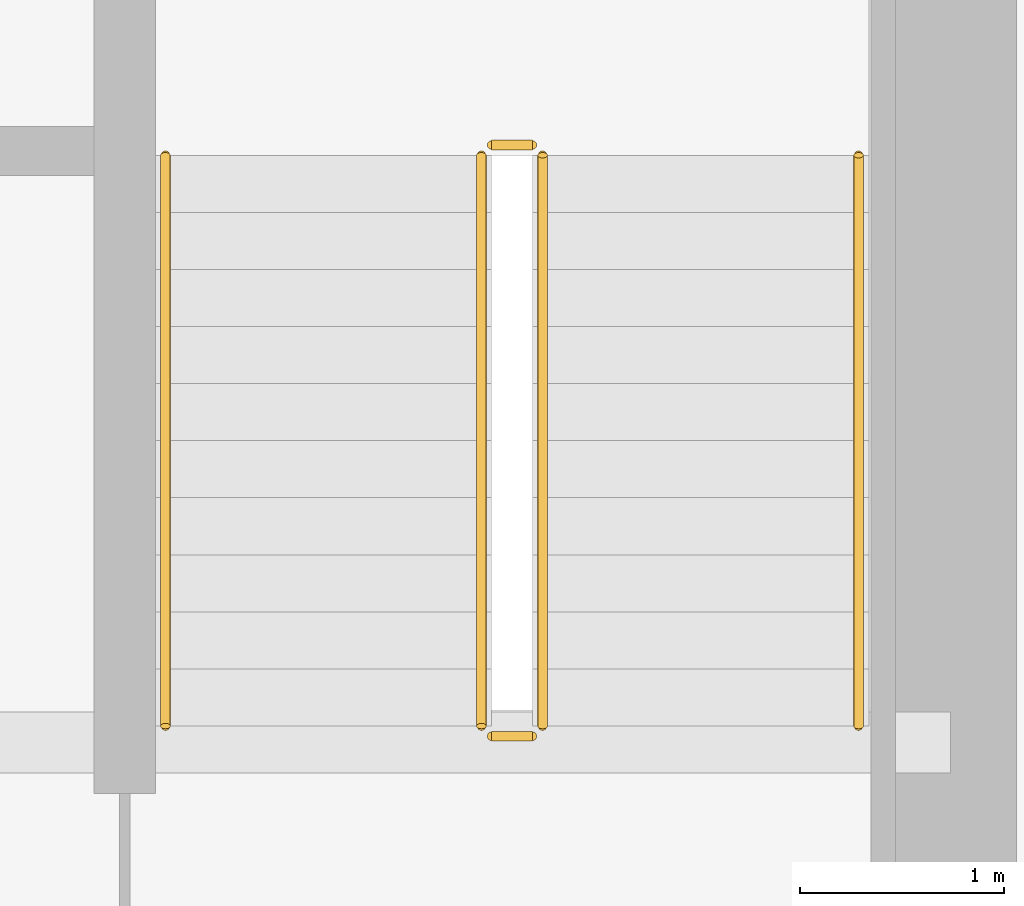
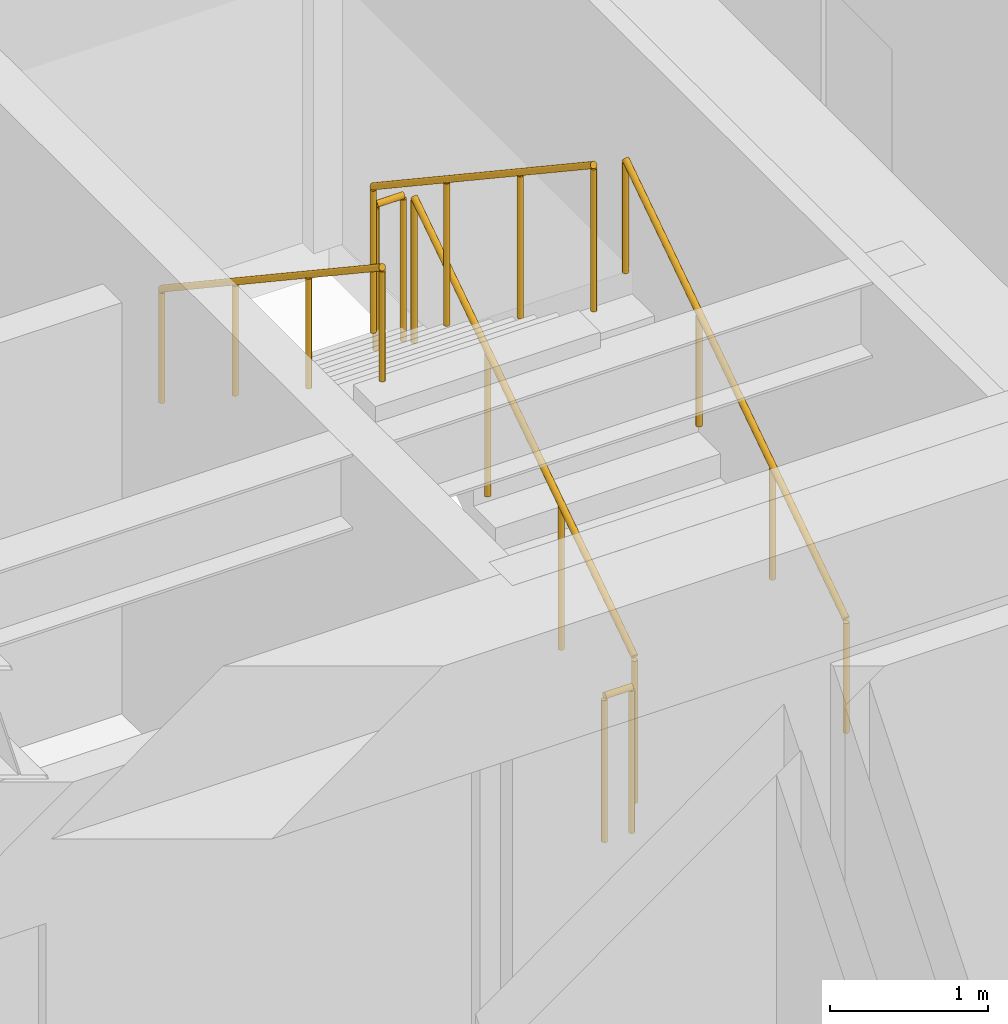
# One storey, part 31 of 31: 6 railings.
"""IFC4 building model written with IfcOpenShell, lengths in metres."""

from ifc_helpers import new_model, si_unit, direction, frame, origin, origin_2d, place, context, subcontext, project, spatial, circle, extrude, source, transform, mapped, material, type_object, type_shapes, element, save


model = new_model("IFC4")

# Units and contexts
model_context = context("Model", 3, precision=1e-05, world=origin(), true_north=direction((0.0, 1.0)))
body_context = subcontext(model_context, "Body", "Model", "MODEL_VIEW")
ifc_project = project(units=[si_unit("LENGTHUNIT", "METRE"), si_unit("AREAUNIT", "SQUARE_METRE"), si_unit("VOLUMEUNIT", "CUBIC_METRE"), si_unit("PLANEANGLEUNIT", "RADIAN"), si_unit("MASSUNIT", "GRAM", prefix="KILO")], contexts=[model_context])

# Site, building, storey
site_placement = place(None, origin())
site = spatial("IfcSite", under=ifc_project, at=site_placement, CompositionType="ELEMENT")
building_placement = place(site_placement, origin())
building = spatial("IfcBuilding", under=site, at=building_placement, Name="Haelvirn Gate Laboratories", CompositionType="ELEMENT")
storey_placement = place(building_placement, frame((0.0, 0.0, 150.199951171875)))
storey = spatial("IfcBuildingStorey", under=building, at=storey_placement, Name="L36", CompositionType="ELEMENT", Elevation=150.199951171875)

# Railings
ifc_material_1 = material(Name="Galvanised steel SM355 & stainless top rail", Category="steel")
railing_type_1 = type_object("IfcRailingType", Name="RL-GUARD-1150", PredefinedType="GUARDRAIL", material=ifc_material_1)
shared_shape_1 = source(origin(), body_context, "Body", "SweptSolid", [
    extrude(circle(Radius=0.02392578125, at=origin_2d()), frame((0.0, 0.0, 1.1259765625), z_axis=(0.0, 0.832485552168, 0.554046753832), x_axis=(-1.0, 0.0, 0.0)), (0.0, 0.0, 1.0), 3.363525390625),
    extrude(circle(Radius=0.02099609375, at=origin_2d()), origin(), (0.0, 0.0, 1.0), 1.101806640625),
    extrude(circle(Radius=0.02099609375, at=origin_2d()), frame((0.0, 0.933349609375, 0.62109375)), (0.0, 0.0, 1.0), 1.101806640625),
    extrude(circle(Radius=0.02099609375, at=origin_2d()), frame((0.0, 1.86669921875, 1.242431640625)), (0.0, 0.0, 1.0), 1.101806640625),
    extrude(circle(Radius=0.02099609375, at=origin_2d()), frame((0.0, 2.800048828125, 1.863525390625)), (0.0, 0.0, 1.0), 1.101806640625),
])
railing_1_placement = place(storey_placement, frame((65.39990234375, 26.699951171875, 0.1865234375)))
element("IfcRailing", 1, at=railing_1_placement, inside=storey, type_object=railing_type_1, Name="L36 ST2 stair guard 1", PredefinedType="GUARDRAIL", context=body_context, shape_type="MappedRepresentation", body=[
    mapped(shared_shape_1, transform((0.0, 0.0, 0.0), scale=1.0)),
])
shared_shape_2 = source(origin(), body_context, "Body", "SweptSolid", [
    extrude(circle(Radius=0.02392578125, at=origin_2d()), frame((0.0, 0.0, 1.1259765625), z_axis=(0.0, -0.832452072856, 0.554097055034), x_axis=(1.0, 0.0, 0.0)), (0.0, 0.0, 1.0), 3.363525390625),
    extrude(circle(Radius=0.02099609375, at=origin_2d()), origin(), (0.0, 0.0, 1.0), 1.101806640625),
    extrude(circle(Radius=0.02099609375, at=origin_2d()), frame((0.0, -0.933349609375, 0.621337890625)), (0.0, 0.0, 1.0), 1.101806640625),
    extrude(circle(Radius=0.02099609375, at=origin_2d()), frame((0.0, -1.86669921875, 1.242431640625)), (0.0, 0.0, 1.0), 1.101806640625),
    extrude(circle(Radius=0.02099609375, at=origin_2d()), frame((0.0, -2.800048828125, 1.86376953125)), (0.0, 0.0, 1.0), 1.101806640625),
])
railing_2_placement = place(storey_placement, frame((65.10009765625, 29.5, 2.236328125)))
element("IfcRailing", 2, at=railing_2_placement, inside=storey, type_object=railing_type_1, Name="L36 ST2 stair guard 3", PredefinedType="GUARDRAIL", context=body_context, shape_type="MappedRepresentation", body=[
    mapped(shared_shape_2, transform((0.0, 0.0, 0.0), scale=1.0)),
])
ifc_material_2 = material(Name="Brushed stainless steel 316L", Category="steel")
railing_type_2 = type_object("IfcRailingType", Name="RL-HAND-920", PredefinedType="HANDRAIL", material=ifc_material_2)
shared_shape_3 = source(origin(), body_context, "Body", "SweptSolid", [
    extrude(circle(Radius=0.02392578125, at=origin_2d()), frame((0.0, 0.0, 0.8759765625), z_axis=(0.0, 0.832485552168, 0.554046753832), x_axis=(-1.0, 0.0, 0.0)), (0.0, 0.0, 1.0), 3.363525390625),
    extrude(circle(Radius=0.02099609375, at=origin_2d()), origin(), (0.0, 0.0, 1.0), 0.851806640625),
    extrude(circle(Radius=0.02099609375, at=origin_2d()), frame((0.0, 0.933349609375, 0.62109375)), (0.0, 0.0, 1.0), 0.851806640625),
    extrude(circle(Radius=0.02099609375, at=origin_2d()), frame((0.0, 1.86669921875, 1.242431640625)), (0.0, 0.0, 1.0), 0.851806640625),
    extrude(circle(Radius=0.02099609375, at=origin_2d()), frame((0.0, 2.800048828125, 1.863525390625)), (0.0, 0.0, 1.0), 0.851806640625),
])
railing_3_placement = place(storey_placement, frame((66.949951171875, 26.699951171875, 0.1865234375)))
element("IfcRailing", 3, at=railing_3_placement, inside=storey, type_object=railing_type_2, Name="L36 ST2 stair handrail 1", PredefinedType="HANDRAIL", context=body_context, shape_type="MappedRepresentation", body=[
    mapped(shared_shape_3, transform((0.0, 0.0, 0.0), scale=1.0)),
])
shared_shape_4 = source(origin(), body_context, "Body", "SweptSolid", [
    extrude(circle(Radius=0.02392578125, at=origin_2d()), frame((0.0, 0.0, 0.8759765625), z_axis=(0.0, -0.832452072856, 0.554097055034), x_axis=(1.0, 0.0, 0.0)), (0.0, 0.0, 1.0), 3.363525390625),
    extrude(circle(Radius=0.02099609375, at=origin_2d()), origin(), (0.0, 0.0, 1.0), 0.851806640625),
    extrude(circle(Radius=0.02099609375, at=origin_2d()), frame((0.0, -0.933349609375, 0.621337890625)), (0.0, 0.0, 1.0), 0.851806640625),
    extrude(circle(Radius=0.02099609375, at=origin_2d()), frame((0.0, -1.86669921875, 1.242431640625)), (0.0, 0.0, 1.0), 0.851806640625),
    extrude(circle(Radius=0.02099609375, at=origin_2d()), frame((0.0, -2.800048828125, 1.86376953125)), (0.0, 0.0, 1.0), 0.851806640625),
])
type_shapes(railing_type_2, [shared_shape_3, shared_shape_4])
railing_4_placement = place(storey_placement, frame((63.550048828125, 29.5, 2.236328125)))
element("IfcRailing", 4, at=railing_4_placement, inside=storey, type_object=railing_type_2, Name="L36 ST2 stair handrail 2", PredefinedType="HANDRAIL", context=body_context, shape_type="MappedRepresentation", body=[
    mapped(shared_shape_4, transform((0.0, 0.0, 0.0), scale=1.0)),
])
shared_shape_5 = source(origin(), body_context, "Body", "SweptSolid", [
    extrude(circle(Radius=0.02392578125, at=origin_2d()), frame((0.0, 0.0, 1.1259765625), z_axis=(-1.0, 0.0, 0.0), x_axis=(0.0, -1.0, 0.0)), (0.0, 0.0, 1.0), 0.2001953125),
    extrude(circle(Radius=0.02099609375, at=origin_2d()), origin(), (0.0, 0.0, 1.0), 1.101806640625),
    extrude(circle(Radius=0.02099609375, at=origin_2d()), frame((-0.2001953125, 0.0, 0.0)), (0.0, 0.0, 1.0), 1.101806640625),
])
type_shapes(railing_type_1, [shared_shape_1, shared_shape_2, shared_shape_5])
for number, where, name in (
    (5, (65.35009765625, 29.550048828125, 2.050048828125), "L36 ST2 stair guard 2"),
    (6, (65.35009765625, 26.64990234375, 0.0), "L36 ST2 stair guard 4"),
):
    element("IfcRailing", number, at=place(storey_placement, frame(where)), inside=storey, type_object=railing_type_1, Name=name, PredefinedType="GUARDRAIL", context=body_context, shape_type="MappedRepresentation", body=[
        mapped(shared_shape_5, transform((0.0, 0.0, 0.0), scale=1.0)),
    ])

save(model, "model.ifc")
